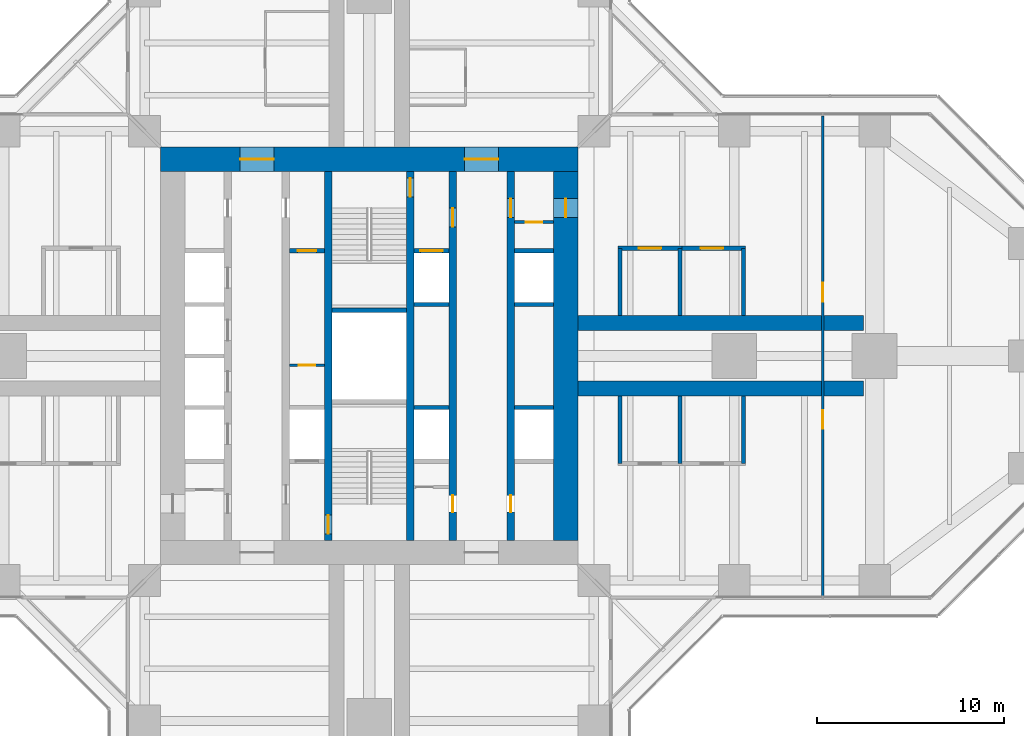
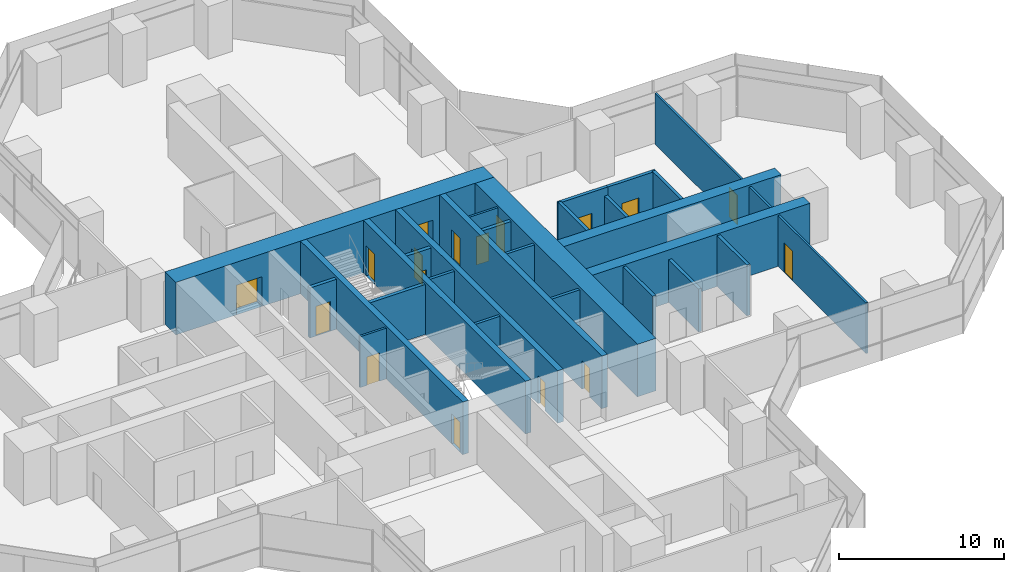
# One storey, part 19 of 22: 27 walls, 17 doors, 17 openings.
"""IFC4 building model written with IfcOpenShell, lengths in metres."""

import ifcopenshell
import ifcopenshell.guid

model = None  # the IFC model being written
_history = None  # IfcOwnerHistory: only IFC2X3 demands one
_inside = {}  # id of a spatial element -> (the spatial element, [elements in it])
_under = {}  # id of a project, library or spatial element -> (it, [spatial elements below it])
_declared = {}  # id of a project -> (the project, [libraries it declares])
_typed = {}  # id of a type object -> (the type object, [elements of that type])
_made_of = {}  # id of a material, layer set ... -> (it, [elements and type objects made of it])


def new_model(schema):
    """Start an empty IFC model of exactly this schema.

    Asked for "IFC4X3", IfcOpenShell would pick the latest addendum, in which some entities
    have other attributes; the version numbers below select the first issue.
    IFC2X3 requires an IfcOwnerHistory on every rooted entity: one is made here for all.
    """
    global model, _history
    if schema == "IFC4X3":
        model = ifcopenshell.file(schema_version=(4, 3, 0, 0))
    else:
        model = ifcopenshell.file(schema=schema)
    _inside.clear()
    _under.clear()
    _declared.clear()
    _typed.clear()
    _made_of.clear()
    _history = None
    if model.schema == "IFC2X3":
        org = make("IfcOrganization", Name="unknown")
        user = make(
            "IfcPersonAndOrganization",
            ThePerson=make("IfcPerson", FamilyName="unknown"),
            TheOrganization=org,
        )
        app = make(
            "IfcApplication",
            ApplicationDeveloper=org,
            Version="unknown",
            ApplicationFullName="unknown",
            ApplicationIdentifier="unknown",
        )
        _history = make(
            "IfcOwnerHistory",
            OwningUser=user,
            OwningApplication=app,
            ChangeAction="ADDED",
            CreationDate=0,
        )
    return model


def make(cls, **values):
    """One entity of the class cls with the attributes given. An attribute that is None is left unset."""
    return model.create_entity(
        cls, **{name: value for name, value in values.items() if value is not None}
    )


def rooted(cls, **values):
    """An entity with a GlobalId (a new one), such as an element, a storey or a relation."""
    return make(cls, GlobalId=ifcopenshell.guid.new(), OwnerHistory=_history, **values)


def si_unit(unit_type, name, prefix=None):
    """IfcSIUnit, for example si_unit("LENGTHUNIT", "METRE", prefix="MILLI")."""
    return make("IfcSIUnit", UnitType=unit_type, Prefix=prefix, Name=name)


def assignment(units):
    """IfcUnitAssignment: the units of a project."""
    return None if units is None else make("IfcUnitAssignment", Units=units)


def point(xyz):
    """IfcCartesianPoint."""
    return None if xyz is None else make("IfcCartesianPoint", Coordinates=xyz)


def direction(xyz):
    """IfcDirection."""
    return None if xyz is None else make("IfcDirection", DirectionRatios=xyz)


def frame(location, z_axis=None, x_axis=None):
    """IfcAxis2Placement3D, a coordinate frame: its origin and axes. An axis left out is left unset."""
    return make(
        "IfcAxis2Placement3D",
        Location=point(location),
        Axis=direction(z_axis),
        RefDirection=direction(x_axis),
    )


def frame_2d(location, x_axis=None):
    """IfcAxis2Placement2D, a coordinate frame in the plane: its origin and x axis."""
    return make(
        "IfcAxis2Placement2D", Location=point(location), RefDirection=direction(x_axis)
    )


def origin():
    """The frame at (0, 0, 0) with its axes left unset."""
    return frame((0.0, 0.0, 0.0))


def place(relative_to, where):
    """IfcLocalPlacement: puts the frame where relative to a parent placement (None: the world)."""
    return make(
        "IfcLocalPlacement", PlacementRelTo=relative_to, RelativePlacement=where
    )


def context(
    kind, dimensions, precision=None, world=None, true_north=None, identifier=None
):
    """IfcGeometricRepresentationContext, for example the 3D "Model" context."""
    return make(
        "IfcGeometricRepresentationContext",
        ContextIdentifier=identifier,
        ContextType=kind,
        CoordinateSpaceDimension=dimensions,
        Precision=precision,
        WorldCoordinateSystem=world,
        TrueNorth=true_north,
    )


def subcontext(parent, identifier, kind, view, scale=None):
    """IfcGeometricRepresentationSubContext, for example "Body" below "Model"."""
    return make(
        "IfcGeometricRepresentationSubContext",
        ContextIdentifier=identifier,
        ContextType=kind,
        ParentContext=parent,
        TargetScale=scale,
        TargetView=view,
    )


def project(units=None, contexts=None):
    """IfcProject with its units and contexts."""
    return rooted(
        "IfcProject",
        Name="project",
        RepresentationContexts=contexts,
        UnitsInContext=assignment(units),
    )


def spatial(cls, under=None, at=None, **own):
    """A site, building, storey or space (cls), placed at a placement, below another one or the project."""
    s = rooted(cls, ObjectPlacement=at, **own)
    if under is not None:
        _under.setdefault(under.id(), (under, []))[1].append(s)
    return s


def profile(cls, at=None, kind="AREA", **sizes):
    """A parametric profile (cls). Its sizes go by their IFC names, for example OverallWidth=200.0."""
    return make(cls, ProfileType=kind, Position=at, **sizes)


def rectangle(**sizes):
    """IfcRectangleProfileDef."""
    return profile("IfcRectangleProfileDef", **sizes)


def extrude(swept, where, along, depth):
    """IfcExtrudedAreaSolid: the profile swept, set in the frame where, extruded along a direction by depth."""
    return make(
        "IfcExtrudedAreaSolid",
        SweptArea=swept,
        Position=where,
        ExtrudedDirection=direction(along),
        Depth=depth,
    )


def shape(context_of_items, identifier, shape_type, items):
    """IfcShapeRepresentation: the items that make up one representation, for example the "Body"."""
    return make(
        "IfcShapeRepresentation",
        ContextOfItems=context_of_items,
        RepresentationIdentifier=identifier,
        RepresentationType=shape_type,
        Items=items,
    )


def material(Name=None, Category=None):
    """IfcMaterial."""
    return make("IfcMaterial", Name=Name, Category=Category)


def layer(
    of_material, thickness, ventilated=None, Name=None, Category=None, Priority=None
):
    """IfcMaterialLayer: one layer of a wall or slab, of a material (None: an air gap)."""
    return make(
        "IfcMaterialLayer",
        Material=of_material,
        LayerThickness=thickness,
        IsVentilated=ventilated,
        Name=Name,
        Category=Category,
        Priority=Priority,
    )


def layer_set(layers, Name=None):
    """IfcMaterialLayerSet."""
    return make("IfcMaterialLayerSet", MaterialLayers=layers, LayerSetName=Name)


def made_of(thing, what):
    """Note that an element or type object is made of a material, layer set ...; save() writes the relation."""
    if what is not None:
        _made_of.setdefault(what.id(), (what, []))[1].append(thing)
    return thing


def type_object(cls, material=None, **own):
    """A type object (cls), such as IfcWallType, which elements share."""
    return made_of(rooted(cls, **own), material)


def element(
    cls,
    number,
    at=None,
    inside=None,
    cuts=None,
    type_object=None,
    material=None,
    context=None,
    identifier="Body",
    shape_type=None,
    held_by="IfcProductDefinitionShape",
    body=None,
    shapes=None,
    **own,
):
    """One element of the class cls, such as IfcWall. Its Tag is "e" and its number.

    at: its placement. inside: the storey or other place that contains it. cuts: it is an
    opening in that element (IfcRelVoidsElement). A single representation is given by context,
    identifier, shape_type and body (its items); several are given by shapes. held_by: the class
    of the entity that holds the representations. save() writes the other relations.
    """
    e = rooted(cls, Tag="e%d" % number, ObjectPlacement=at, **own)
    if body is not None:
        shapes = [shape(context, identifier, shape_type, body)]
    if shapes is not None:
        e.Representation = make(held_by, Representations=shapes)
    if inside is not None:
        _inside.setdefault(inside.id(), (inside, []))[1].append(e)
    if cuts is not None:
        rooted(
            "IfcRelVoidsElement", RelatingBuildingElement=cuts, RelatedOpeningElement=e
        )
    if type_object is not None:
        _typed.setdefault(type_object.id(), (type_object, []))[1].append(e)
    return made_of(e, material)


def fill(opening, filler):
    """IfcRelFillsElement: the door or window that sits in an opening."""
    return rooted(
        "IfcRelFillsElement",
        RelatingOpeningElement=opening,
        RelatedBuildingElement=filler,
    )


def aggregate(whole, parts):
    """IfcRelAggregates: a whole, such as a stair, and the parts it consists of."""
    return rooted("IfcRelAggregates", RelatingObject=whole, RelatedObjects=parts)


def save(model, path):
    """Write the relations noted so far, then the file.

    IfcRelAggregates (storeys below a building ...), IfcRelContainedInSpatialStructure (elements
    in a storey), IfcRelDefinesByType, IfcRelAssociatesMaterial and IfcRelDeclares: one each for
    every whole, place, type object, material and project.
    """
    for whole, parts in _under.values():
        aggregate(whole, parts)
    for where, things in _inside.values():
        rooted(
            "IfcRelContainedInSpatialStructure",
            RelatedElements=things,
            RelatingStructure=where,
        )
    for kind, things in _typed.values():
        rooted("IfcRelDefinesByType", RelatedObjects=things, RelatingType=kind)
    for what, things in _made_of.values():
        rooted("IfcRelAssociatesMaterial", RelatedObjects=things, RelatingMaterial=what)
    for by, libraries in _declared.values():
        rooted("IfcRelDeclares", RelatingContext=by, RelatedDefinitions=libraries)
    model.write(path)


model = new_model("IFC4")

# Units and contexts
model_context = context("Model", 3, precision=1e-05, world=origin(), true_north=direction((0.0, 1.0)))
body_context = subcontext(model_context, "Body", "Model", "MODEL_VIEW")
ifc_project = project(units=[si_unit("LENGTHUNIT", "METRE"), si_unit("AREAUNIT", "SQUARE_METRE"), si_unit("VOLUMEUNIT", "CUBIC_METRE"), si_unit("PLANEANGLEUNIT", "RADIAN"), si_unit("MASSUNIT", "GRAM", prefix="KILO")], contexts=[model_context])

# Site, building, storey
site_placement = place(None, origin())
site = spatial("IfcSite", under=ifc_project, at=site_placement, CompositionType="ELEMENT")
building_placement = place(site_placement, origin())
building = spatial("IfcBuilding", under=site, at=building_placement, Name="Mizan Broadcast Tower", CompositionType="ELEMENT")
storey_placement = place(building_placement, frame((0.0, 0.0, 55.199951171875)))
storey = spatial("IfcBuildingStorey", under=building, at=storey_placement, Name="L10", CompositionType="ELEMENT", Elevation=55.199951171875)

# Wall, openings, doors
ifc_material_1 = material(Name="Concrete C70/85", Category="concrete")
ifc_layer_1 = layer(ifc_material_1, 0.39990234375)
ifc_layer_set_1 = layer_set([ifc_layer_1], Name="Concrete C70/85")
wall_type_1 = type_object("IfcWallType", Name="CORE INTERNAL WALL 400", PredefinedType="SHEAR", material=ifc_layer_set_1)
wall_1_placement = place(storey_placement, frame((7.550048828125, 9.85009765625, 0.0), z_axis=(0.0, 0.0, 1.0), x_axis=(0.0, -1.0, 0.0)))
wall_1 = element("IfcWall", 1, at=wall_1_placement, inside=storey, type_object=wall_type_1, Name="Core wall CORE/XW1E", PredefinedType="SHEAR", context=body_context, shape_type="SweptSolid", body=[
    extrude(rectangle(XDim=19.7001953125, YDim=0.39990234375, at=frame_2d((9.85009765625, 0.0))), origin(), (0.0, 0.0, 1.0), 3.900146484375),
])
opening_1_placement = place(wall_1_placement, frame((1.449951171875, 0.0, 0.0)))
opening_1 = element("IfcOpeningElement", 2, at=opening_1_placement, cuts=wall_1, Name="Opening D10F", PredefinedType="OPENING", context=body_context, shape_type="SweptSolid", body=[
    extrude(rectangle(XDim=1.0, YDim=2.199951171875, at=frame_2d((0.5, 1.10009765625))), frame((0.0, 0.2099609375, 0.0), z_axis=(0.0, -1.0, 0.0), x_axis=(1.0, 0.0, 0.0)), (0.0, 0.0, 1.0), 0.419921875),
])
opening_2_placement = place(wall_1_placement, frame((17.300048828125, 0.0, 0.0)))
opening_2 = element("IfcOpeningElement", 3, at=opening_2_placement, cuts=wall_1, Name="Opening D09", PredefinedType="OPENING", context=body_context, shape_type="SweptSolid", body=[
    extrude(rectangle(XDim=0.89990234375, YDim=2.10009765625, at=frame_2d((0.449951171875, 1.050048828125))), frame((0.0, 0.2099609375, 0.0), z_axis=(0.0, -1.0, 0.0), x_axis=(1.0, 0.0, 0.0)), (0.0, 0.0, 1.0), 0.419921875),
])
ifc_material_2 = material(Name="Steel door leaf in steel frame", Category="steel")
door_type_1 = type_object("IfcDoorType", Name="FIRE DOOR 1000 FD90", OperationType="SINGLE_SWING_LEFT", PredefinedType="DOOR", material=ifc_material_2)
door_1_placement = place(opening_1_placement, origin())
door_1 = element("IfcDoor", 4, at=door_1_placement, inside=storey, type_object=door_type_1, Name="East core passage door", OperationType="SINGLE_SWING_LEFT", OverallHeight=2.199951171875, OverallWidth=1.0, PredefinedType="DOOR", context=body_context, shape_type="SweptSolid", body=[
    extrude(rectangle(XDim=1.0, YDim=2.199951171875, at=frame_2d((0.5, 1.10009765625))), frame((0.0, 0.02490234375, 0.0), z_axis=(0.0, -1.0, 0.0), x_axis=(1.0, 0.0, 0.0)), (0.0, 0.0, 1.0), 0.050048828125),
])
fill(opening_1, door_1)
ifc_material_3 = material(Name="Timber door leaf in aluminium frame", Category="wood")
door_type_2 = type_object("IfcDoorType", Name="TOILET DOOR 900", OperationType="SINGLE_SWING_LEFT", PredefinedType="DOOR", material=ifc_material_3)
door_2_placement = place(opening_2_placement, origin())
door_2 = element("IfcDoor", 5, at=door_2_placement, inside=storey, type_object=door_type_2, Name="Female WC door", OperationType="SINGLE_SWING_RIGHT", OverallHeight=2.10009765625, OverallWidth=0.89990234375, PredefinedType="DOOR", context=body_context, shape_type="SweptSolid", body=[
    extrude(rectangle(XDim=0.89990234375, YDim=2.10009765625, at=frame_2d((0.449951171875, 1.050048828125))), frame((0.0, 0.02490234375, 0.0), z_axis=(0.0, -1.0, 0.0), x_axis=(1.0, 0.0, 0.0)), (0.0, 0.0, 1.0), 0.050048828125),
])
fill(opening_2, door_2)

wall_2_placement = place(storey_placement, frame((4.449951171875, 9.85009765625, 0.0), z_axis=(0.0, 0.0, 1.0), x_axis=(0.0, -1.0, 0.0)))
wall_2 = element("IfcWall", 6, at=wall_2_placement, inside=storey, type_object=wall_type_1, Name="Core wall CORE/XWHE", PredefinedType="SHEAR", context=body_context, shape_type="SweptSolid", body=[
    extrude(rectangle(XDim=19.7001953125, YDim=0.39990234375, at=frame_2d((9.85009765625, 0.0))), origin(), (0.0, 0.0, 1.0), 3.900146484375),
])
opening_3_placement = place(wall_2_placement, frame((1.949951171875, 0.0, 0.0)))
opening_3 = element("IfcOpeningElement", 7, at=opening_3_placement, cuts=wall_2, Name="Opening D10F", PredefinedType="OPENING", context=body_context, shape_type="SweptSolid", body=[
    extrude(rectangle(XDim=1.0, YDim=2.199951171875, at=frame_2d((0.5, 1.10009765625))), frame((0.0, 0.2099609375, 0.0), z_axis=(0.0, -1.0, 0.0), x_axis=(1.0, 0.0, 0.0)), (0.0, 0.0, 1.0), 0.419921875),
])
opening_4_placement = place(wall_2_placement, frame((17.300048828125, 0.0, 0.0)))
opening_4 = element("IfcOpeningElement", 8, at=opening_4_placement, cuts=wall_2, Name="Opening D09", PredefinedType="OPENING", context=body_context, shape_type="SweptSolid", body=[
    extrude(rectangle(XDim=0.89990234375, YDim=2.10009765625, at=frame_2d((0.449951171875, 1.050048828125))), frame((0.0, 0.2099609375, 0.0), z_axis=(0.0, -1.0, 0.0), x_axis=(1.0, 0.0, 0.0)), (0.0, 0.0, 1.0), 0.419921875),
])
door_3_placement = place(opening_3_placement, origin())
door_3 = element("IfcDoor", 9, at=door_3_placement, inside=storey, type_object=door_type_1, Name="Firefighting lobby B door", OperationType="SINGLE_SWING_LEFT", OverallHeight=2.199951171875, OverallWidth=1.0, PredefinedType="DOOR", context=body_context, shape_type="SweptSolid", body=[
    extrude(rectangle(XDim=1.0, YDim=2.199951171875, at=frame_2d((0.5, 1.10009765625))), frame((0.0, 0.02490234375, 0.0), z_axis=(0.0, -1.0, 0.0), x_axis=(1.0, 0.0, 0.0)), (0.0, 0.0, 1.0), 0.050048828125),
])
fill(opening_3, door_3)
door_4_placement = place(opening_4_placement, origin())
door_4 = element("IfcDoor", 10, at=door_4_placement, inside=storey, type_object=door_type_2, Name="Cleaner's store door", OperationType="SINGLE_SWING_RIGHT", OverallHeight=2.10009765625, OverallWidth=0.89990234375, PredefinedType="DOOR", context=body_context, shape_type="SweptSolid", body=[
    extrude(rectangle(XDim=0.89990234375, YDim=2.10009765625, at=frame_2d((0.449951171875, 1.050048828125))), frame((0.0, 0.02490234375, 0.0), z_axis=(0.0, -1.0, 0.0), x_axis=(1.0, 0.0, 0.0)), (0.0, 0.0, 1.0), 0.050048828125),
])
fill(opening_4, door_4)

# Wall, opening, door
wall_3_placement = place(storey_placement, frame((-2.199951171875, -9.85009765625, 0.0), z_axis=(0.0, 0.0, 1.0), x_axis=(0.0, 1.0, 0.0)))
wall_3 = element("IfcWall", 11, at=wall_3_placement, inside=storey, type_object=wall_type_1, Name="Core wall CORE/XW2", PredefinedType="SHEAR", context=body_context, shape_type="SweptSolid", body=[
    extrude(rectangle(XDim=19.7001953125, YDim=0.39990234375, at=frame_2d((9.85009765625, 0.0))), origin(), (0.0, 0.0, 1.0), 3.900146484375),
])
opening_5_placement = place(wall_3_placement, frame((0.35009765625, 0.0, 0.0)))
opening_5 = element("IfcOpeningElement", 12, at=opening_5_placement, cuts=wall_3, Name="Opening D10S", PredefinedType="OPENING", context=body_context, shape_type="SweptSolid", body=[
    extrude(rectangle(XDim=1.0, YDim=2.199951171875, at=frame_2d((0.5, 1.10009765625))), frame((0.0, 0.2099609375, 0.0), z_axis=(0.0, -1.0, 0.0), x_axis=(1.0, 0.0, 0.0)), (0.0, 0.0, 1.0), 0.419921875),
])
ifc_material_4 = material(Name="Steel door leaf in steel frame", Category="steel")
door_type_3 = type_object("IfcDoorType", Name="STAIR DOOR 1000 FD90S", OperationType="SINGLE_SWING_RIGHT", PredefinedType="DOOR", material=ifc_material_4)
door_5_placement = place(opening_5_placement, origin())
door_5 = element("IfcDoor", 13, at=door_5_placement, inside=storey, type_object=door_type_3, Name="Stair A door", OperationType="SINGLE_SWING_RIGHT", OverallHeight=2.199951171875, OverallWidth=1.0, PredefinedType="DOOR", context=body_context, shape_type="SweptSolid", body=[
    extrude(rectangle(XDim=1.0, YDim=2.199951171875, at=frame_2d((0.5, 1.10009765625))), frame((0.0, 0.02490234375, 0.0), z_axis=(0.0, -1.0, 0.0), x_axis=(1.0, 0.0, 0.0)), (0.0, 0.0, 1.0), 0.050048828125),
])
fill(opening_5, door_5)

wall_4_placement = place(storey_placement, frame((2.199951171875, 9.85009765625, 0.0), z_axis=(0.0, 0.0, 1.0), x_axis=(0.0, -1.0, 0.0)))
wall_4 = element("IfcWall", 14, at=wall_4_placement, inside=storey, type_object=wall_type_1, Name="Core wall CORE/XW2E", PredefinedType="SHEAR", context=body_context, shape_type="SweptSolid", body=[
    extrude(rectangle(XDim=19.7001953125, YDim=0.39990234375, at=frame_2d((9.85009765625, 0.0))), origin(), (0.0, 0.0, 1.0), 3.900146484375),
])
opening_6_placement = place(wall_4_placement, frame((0.35009765625, 0.0, 0.0)))
opening_6 = element("IfcOpeningElement", 15, at=opening_6_placement, cuts=wall_4, Name="Opening D10S", PredefinedType="OPENING", context=body_context, shape_type="SweptSolid", body=[
    extrude(rectangle(XDim=1.0, YDim=2.199951171875, at=frame_2d((0.5, 1.10009765625))), frame((0.0, 0.2099609375, 0.0), z_axis=(0.0, -1.0, 0.0), x_axis=(1.0, 0.0, 0.0)), (0.0, 0.0, 1.0), 0.419921875),
])
door_6_placement = place(opening_6_placement, origin())
door_6 = element("IfcDoor", 16, at=door_6_placement, inside=storey, type_object=door_type_3, Name="Stair B door", OperationType="SINGLE_SWING_RIGHT", OverallHeight=2.199951171875, OverallWidth=1.0, PredefinedType="DOOR", context=body_context, shape_type="SweptSolid", body=[
    extrude(rectangle(XDim=1.0, YDim=2.199951171875, at=frame_2d((0.5, 1.10009765625))), frame((0.0, 0.02490234375, 0.0), z_axis=(0.0, -1.0, 0.0), x_axis=(1.0, 0.0, 0.0)), (0.0, 0.0, 1.0), 0.050048828125),
])
fill(opening_6, door_6)

ifc_material_5 = material(Name="Concrete blockwork", Category="masonry")
ifc_layer_2 = layer(ifc_material_5, 0.14990234375)
ifc_layer_set_2 = layer_set([ifc_layer_2], Name="Concrete blockwork")
wall_type_2 = type_object("IfcWallType", Name="CORE PARTITION 150", PredefinedType="SOLIDWALL", material=ifc_layer_set_2)
wall_5_placement = place(storey_placement, frame((-4.25, -0.5, 0.0), z_axis=(0.0, 0.0, 1.0), x_axis=(1.0, 0.0, 0.0)))
wall_5 = element("IfcWall", 17, at=wall_5_placement, inside=storey, type_object=wall_type_2, Name="Core partition CORE/XP2", PredefinedType="SOLIDWALL", context=body_context, shape_type="SweptSolid", body=[
    extrude(rectangle(XDim=1.85009765625, YDim=0.14990234375, at=frame_2d((0.925048828125, 0.0))), origin(), (0.0, 0.0, 1.0), 3.77001953125),
])
opening_7_placement = place(wall_5_placement, frame((0.47509765625, 0.0, 0.0)))
opening_7 = element("IfcOpeningElement", 18, at=opening_7_placement, cuts=wall_5, Name="Opening D09F", PredefinedType="OPENING", context=body_context, shape_type="SweptSolid", body=[
    extrude(rectangle(XDim=0.89990234375, YDim=2.10009765625, at=frame_2d((0.449951171875, 1.050048828125))), frame((0.0, 0.0849609375, 0.0), z_axis=(0.0, -1.0, 0.0), x_axis=(1.0, 0.0, 0.0)), (0.0, 0.0, 1.0), 0.169921875),
])
ifc_material_6 = material(Name="Steel door leaf in steel frame", Category="steel")
door_type_4 = type_object("IfcDoorType", Name="CORE ROOM DOOR 900 FD90", OperationType="SINGLE_SWING_LEFT", PredefinedType="DOOR", material=ifc_material_6)
door_7_placement = place(opening_7_placement, origin())
door_7 = element("IfcDoor", 19, at=door_7_placement, inside=storey, type_object=door_type_4, Name="Accessible changing room door", OperationType="SINGLE_SWING_RIGHT", OverallHeight=2.10009765625, OverallWidth=0.89990234375, PredefinedType="DOOR", context=body_context, shape_type="SweptSolid", body=[
    extrude(rectangle(XDim=0.89990234375, YDim=2.10009765625, at=frame_2d((0.449951171875, 1.050048828125))), frame((0.0, 0.02490234375, 0.0), z_axis=(0.0, -1.0, 0.0), x_axis=(1.0, 0.0, 0.0)), (0.0, 0.0, 1.0), 0.050048828125),
])
fill(opening_7, door_7)

wall_6_placement = place(storey_placement, frame((9.85009765625, 7.14990234375, 0.0), z_axis=(0.0, 0.0, 1.0), x_axis=(-1.0, 0.0, 0.0)))
wall_6 = element("IfcWall", 20, at=wall_6_placement, inside=storey, type_object=wall_type_2, Name="Core partition CORE/XPE", PredefinedType="SOLIDWALL", context=body_context, shape_type="SweptSolid", body=[
    extrude(rectangle(XDim=2.10009765625, YDim=0.14990234375, at=frame_2d((1.050048828125, 0.0))), origin(), (0.0, 0.0, 1.0), 3.77001953125),
])
opening_8_placement = place(wall_6_placement, frame((0.60009765625, 0.0, 0.0)))
opening_8 = element("IfcOpeningElement", 21, at=opening_8_placement, cuts=wall_6, Name="Opening D09F", PredefinedType="OPENING", context=body_context, shape_type="SweptSolid", body=[
    extrude(rectangle(XDim=0.89990234375, YDim=2.10009765625, at=frame_2d((0.449951171875, 1.050048828125))), frame((0.0, 0.0849609375, 0.0), z_axis=(0.0, -1.0, 0.0), x_axis=(1.0, 0.0, 0.0)), (0.0, 0.0, 1.0), 0.169921875),
])
door_8_placement = place(opening_8_placement, origin())
door_8 = element("IfcDoor", 22, at=door_8_placement, inside=storey, type_object=door_type_4, Name="Electrical cupboard door", OperationType="SINGLE_SWING_RIGHT", OverallHeight=2.10009765625, OverallWidth=0.89990234375, PredefinedType="DOOR", context=body_context, shape_type="SweptSolid", body=[
    extrude(rectangle(XDim=0.89990234375, YDim=2.10009765625, at=frame_2d((0.449951171875, 1.050048828125))), frame((0.0, 0.02490234375, 0.0), z_axis=(0.0, -1.0, 0.0), x_axis=(1.0, 0.0, 0.0)), (0.0, 0.0, 1.0), 0.050048828125),
])
fill(opening_8, door_8)

# Wall, openings, doors
ifc_material_7 = material(Name="Concrete C70/85", Category="concrete")
ifc_layer_3 = layer(ifc_material_7, 1.300048828125)
ifc_layer_set_3 = layer_set([ifc_layer_3], Name="Concrete C70/85")
wall_type_3 = type_object("IfcWallType", Name="CORE WALL 1300", PredefinedType="SHEAR", material=ifc_layer_set_3)
wall_7_placement = place(storey_placement, frame((-11.14990234375, 10.5, 0.0), z_axis=(0.0, 0.0, 1.0), x_axis=(1.0, 0.0, 0.0)))
wall_7 = element("IfcWall", 23, at=wall_7_placement, inside=storey, type_object=wall_type_3, Name="Core wall N L10", PredefinedType="SHEAR", context=body_context, shape_type="SweptSolid", body=[
    extrude(rectangle(XDim=22.2998046875, YDim=1.300048828125, at=frame_2d((11.14990234375, 0.0))), origin(), (0.0, 0.0, 1.0), 3.900146484375),
])
opening_9_placement = place(wall_7_placement, frame((4.25, 0.0, 0.0)))
opening_9 = element("IfcOpeningElement", 24, at=opening_9_placement, cuts=wall_7, Name="Opening D18F", PredefinedType="OPENING", context=body_context, shape_type="SweptSolid", body=[
    extrude(rectangle(XDim=1.800048828125, YDim=2.199951171875, at=frame_2d((0.89990234375, 1.10009765625))), frame((0.0, 0.659912109375, 0.0), z_axis=(0.0, -1.0, 0.0), x_axis=(1.0, 0.0, 0.0)), (0.0, 0.0, 1.0), 1.320068359375),
])
opening_10_placement = place(wall_7_placement, frame((16.25, 0.0, 0.0)))
opening_10 = element("IfcOpeningElement", 25, at=opening_10_placement, cuts=wall_7, Name="Opening D18F", PredefinedType="OPENING", context=body_context, shape_type="SweptSolid", body=[
    extrude(rectangle(XDim=1.800048828125, YDim=2.199951171875, at=frame_2d((0.89990234375, 1.10009765625))), frame((0.0, 0.659912109375, 0.0), z_axis=(0.0, -1.0, 0.0), x_axis=(1.0, 0.0, 0.0)), (0.0, 0.0, 1.0), 1.320068359375),
])
ifc_material_8 = material(Name="Steel door leaf in steel frame", Category="steel")
door_type_5 = type_object("IfcDoorType", Name="LOBBY DOUBLE DOOR 1800 FD90", OperationType="DOUBLE_DOOR_DOUBLE_SWING", PredefinedType="DOOR", material=ifc_material_8)
door_9_placement = place(opening_9_placement, origin())
door_9 = element("IfcDoor", 26, at=door_9_placement, inside=storey, type_object=door_type_5, Name="West lift lobby north door", OperationType="DOUBLE_DOOR_DOUBLE_SWING", OverallHeight=2.199951171875, OverallWidth=1.800048828125, PredefinedType="DOOR", context=body_context, shape_type="SweptSolid", body=[
    extrude(rectangle(XDim=1.800048828125, YDim=2.199951171875, at=frame_2d((0.89990234375, 1.10009765625))), frame((0.0, 0.02490234375, 0.0), z_axis=(0.0, -1.0, 0.0), x_axis=(1.0, 0.0, 0.0)), (0.0, 0.0, 1.0), 0.050048828125),
])
fill(opening_9, door_9)
door_10_placement = place(opening_10_placement, origin())
door_10 = element("IfcDoor", 27, at=door_10_placement, inside=storey, type_object=door_type_5, Name="East lift lobby north door", OperationType="DOUBLE_DOOR_DOUBLE_SWING", OverallHeight=2.199951171875, OverallWidth=1.800048828125, PredefinedType="DOOR", context=body_context, shape_type="SweptSolid", body=[
    extrude(rectangle(XDim=1.800048828125, YDim=2.199951171875, at=frame_2d((0.89990234375, 1.10009765625))), frame((0.0, 0.02490234375, 0.0), z_axis=(0.0, -1.0, 0.0), x_axis=(1.0, 0.0, 0.0)), (0.0, 0.0, 1.0), 0.050048828125),
])
fill(opening_10, door_10)

# Wall, opening, door
wall_8_placement = place(storey_placement, frame((10.5, -9.85009765625, 0.0), z_axis=(0.0, 0.0, 1.0), x_axis=(0.0, 1.0, 0.0)))
wall_8 = element("IfcWall", 28, at=wall_8_placement, inside=storey, type_object=wall_type_3, Name="Core wall E L10", PredefinedType="SHEAR", context=body_context, shape_type="SweptSolid", body=[
    extrude(rectangle(XDim=19.7001953125, YDim=1.300048828125, at=frame_2d((9.85009765625, 0.0))), origin(), (0.0, 0.0, 1.0), 3.900146484375),
])
opening_11_placement = place(wall_8_placement, frame((17.25, 0.0, 0.0)))
opening_11 = element("IfcOpeningElement", 29, at=opening_11_placement, cuts=wall_8, Name="Opening D10F", PredefinedType="OPENING", context=body_context, shape_type="SweptSolid", body=[
    extrude(rectangle(XDim=1.0, YDim=2.199951171875, at=frame_2d((0.5, 1.10009765625))), frame((0.0, 0.659912109375, 0.0), z_axis=(0.0, -1.0, 0.0), x_axis=(1.0, 0.0, 0.0)), (0.0, 0.0, 1.0), 1.320068359375),
])
door_11_placement = place(opening_11_placement, origin())
door_11 = element("IfcDoor", 30, at=door_11_placement, inside=storey, type_object=door_type_1, Name="East core passage arm door", OperationType="SINGLE_SWING_RIGHT", OverallHeight=2.199951171875, OverallWidth=1.0, PredefinedType="DOOR", context=body_context, shape_type="SweptSolid", body=[
    extrude(rectangle(XDim=1.0, YDim=2.199951171875, at=frame_2d((0.5, 1.10009765625))), frame((0.0, 0.02490234375, 0.0), z_axis=(0.0, -1.0, 0.0), x_axis=(1.0, 0.0, 0.0)), (0.0, 0.0, 1.0), 0.050048828125),
])
fill(opening_11, door_11)

# Walls
ifc_material_9 = material(Name="Concrete blockwork", Category="masonry")
ifc_layer_4 = layer(ifc_material_9, 0.199951171875)
ifc_layer_set_4 = layer_set([ifc_layer_4], Name="Concrete blockwork")
wall_type_4 = type_object("IfcWallType", Name="LIFT SHAFT WALL 200", PredefinedType="SOLIDWALL", material=ifc_layer_set_4)
wall_9_placement = place(storey_placement, frame((2.39990234375, -2.75, 0.0), z_axis=(0.0, 0.0, 1.0), x_axis=(1.0, 0.0, 0.0)))
element("IfcWall", 31, at=wall_9_placement, inside=storey, type_object=wall_type_4, Name="Lift shaft wall CORE/SE2-1", PredefinedType="SOLIDWALL", context=body_context, shape_type="SweptSolid", body=[
    extrude(rectangle(XDim=1.85009765625, YDim=0.199951171875, at=frame_2d((0.925048828125, 0.0))), origin(), (0.0, 0.0, 1.0), 3.699951171875),
])
wall_10_placement = place(storey_placement, frame((7.75, -2.75, 0.0), z_axis=(0.0, 0.0, 1.0), x_axis=(1.0, 0.0, 0.0)))
element("IfcWall", 32, at=wall_10_placement, inside=storey, type_object=wall_type_4, Name="Lift shaft wall CORE/SE1-1", PredefinedType="SOLIDWALL", context=body_context, shape_type="SweptSolid", body=[
    extrude(rectangle(XDim=2.10009765625, YDim=0.199951171875, at=frame_2d((1.050048828125, 0.0))), origin(), (0.0, 0.0, 1.0), 3.699951171875),
])
wall_11_placement = place(storey_placement, frame((2.39990234375, 2.75, 0.0), z_axis=(0.0, 0.0, 1.0), x_axis=(1.0, 0.0, 0.0)))
element("IfcWall", 33, at=wall_11_placement, inside=storey, type_object=wall_type_4, Name="Lift shaft wall CORE/SE2-3", PredefinedType="SOLIDWALL", context=body_context, shape_type="SweptSolid", body=[
    extrude(rectangle(XDim=1.85009765625, YDim=0.199951171875, at=frame_2d((0.925048828125, 0.0))), origin(), (0.0, 0.0, 1.0), 3.699951171875),
])
wall_12_placement = place(storey_placement, frame((7.75, 2.75, 0.0), z_axis=(0.0, 0.0, 1.0), x_axis=(1.0, 0.0, 0.0)))
element("IfcWall", 34, at=wall_12_placement, inside=storey, type_object=wall_type_4, Name="Lift shaft wall CORE/SE1-3", PredefinedType="SOLIDWALL", context=body_context, shape_type="SweptSolid", body=[
    extrude(rectangle(XDim=2.10009765625, YDim=0.199951171875, at=frame_2d((1.050048828125, 0.0))), origin(), (0.0, 0.0, 1.0), 3.699951171875),
])

# Wall, opening, door
ifc_material_10 = material(Name="Concrete blockwork", Category="masonry")
ifc_layer_5 = layer(ifc_material_10, 0.25)
ifc_layer_set_5 = layer_set([ifc_layer_5], Name="Concrete blockwork")
wall_type_5 = type_object("IfcWallType", Name="LOBBY ENCLOSURE WALL 250", PredefinedType="SOLIDWALL", material=ifc_layer_set_5)
wall_13_placement = place(storey_placement, frame((-4.25, 5.625, 0.0), z_axis=(0.0, 0.0, 1.0), x_axis=(1.0, 0.0, 0.0)))
wall_13 = element("IfcWall", 35, at=wall_13_placement, inside=storey, type_object=wall_type_5, Name="Lobby enclosure wall CORE/BW2N", PredefinedType="SOLIDWALL", context=body_context, shape_type="SweptSolid", body=[
    extrude(rectangle(XDim=1.85009765625, YDim=0.25, at=frame_2d((0.925048828125, 0.0))), origin(), (0.0, 0.0, 1.0), 3.699951171875),
])
opening_12_placement = place(wall_13_placement, frame((0.425048828125, 0.0, 0.0)))
opening_12 = element("IfcOpeningElement", 36, at=opening_12_placement, cuts=wall_13, Name="Opening D10F", PredefinedType="OPENING", context=body_context, shape_type="SweptSolid", body=[
    extrude(rectangle(XDim=1.0, YDim=2.199951171875, at=frame_2d((0.5, 1.10009765625))), frame((0.0, 0.135009765625, 0.0), z_axis=(0.0, -1.0, 0.0), x_axis=(1.0, 0.0, 0.0)), (0.0, 0.0, 1.0), 0.27001953125),
])
door_12_placement = place(opening_12_placement, origin())
door_12 = element("IfcDoor", 37, at=door_12_placement, inside=storey, type_object=door_type_1, Name="Baby change room door", OperationType="SINGLE_SWING_RIGHT", OverallHeight=2.199951171875, OverallWidth=1.0, PredefinedType="DOOR", context=body_context, shape_type="SweptSolid", body=[
    extrude(rectangle(XDim=1.0, YDim=2.199951171875, at=frame_2d((0.5, 1.10009765625))), frame((0.0, 0.02490234375, 0.0), z_axis=(0.0, -1.0, 0.0), x_axis=(1.0, 0.0, 0.0)), (0.0, 0.0, 1.0), 0.050048828125),
])
fill(opening_12, door_12)

wall_14_placement = place(storey_placement, frame((2.39990234375, 5.625, 0.0), z_axis=(0.0, 0.0, 1.0), x_axis=(1.0, 0.0, 0.0)))
wall_14 = element("IfcWall", 38, at=wall_14_placement, inside=storey, type_object=wall_type_5, Name="Lobby enclosure wall CORE/BE2N", PredefinedType="SOLIDWALL", context=body_context, shape_type="SweptSolid", body=[
    extrude(rectangle(XDim=1.85009765625, YDim=0.25, at=frame_2d((0.925048828125, 0.0))), origin(), (0.0, 0.0, 1.0), 3.699951171875),
])
opening_13_placement = place(wall_14_placement, frame((0.324951171875, 0.0, 0.0)))
opening_13 = element("IfcOpeningElement", 39, at=opening_13_placement, cuts=wall_14, Name="Opening LDF", PredefinedType="OPENING", context=body_context, shape_type="SweptSolid", body=[
    extrude(rectangle(XDim=1.199951171875, YDim=2.199951171875, at=frame_2d((0.60009765625, 1.10009765625))), frame((0.0, 0.135009765625, 0.0), z_axis=(0.0, -1.0, 0.0), x_axis=(1.0, 0.0, 0.0)), (0.0, 0.0, 1.0), 0.27001953125),
])
ifc_material_11 = material(Name="Steel door leaf in steel frame", Category="steel")
door_type_6 = type_object("IfcDoorType", Name="FIREFIGHTING LIFT LANDING DOOR 1200", OperationType="SLIDING_TO_LEFT", PredefinedType="DOOR", material=ifc_material_11)
door_13_placement = place(opening_13_placement, origin())
door_13 = element("IfcDoor", 40, at=door_13_placement, inside=storey, type_object=door_type_6, Name="Landing door FF2", OperationType="SLIDING_TO_LEFT", OverallHeight=2.199951171875, OverallWidth=1.199951171875, PredefinedType="DOOR", context=body_context, shape_type="SweptSolid", body=[
    extrude(rectangle(XDim=1.199951171875, YDim=2.199951171875, at=frame_2d((0.60009765625, 1.10009765625))), frame((0.0, 0.02490234375, 0.0), z_axis=(0.0, -1.0, 0.0), x_axis=(1.0, 0.0, 0.0)), (0.0, 0.0, 1.0), 0.050048828125),
])
fill(opening_13, door_13)

# Walls
wall_15_placement = place(storey_placement, frame((7.75, 5.625, 0.0), z_axis=(0.0, 0.0, 1.0), x_axis=(1.0, 0.0, 0.0)))
element("IfcWall", 41, at=wall_15_placement, inside=storey, type_object=wall_type_5, Name="Lobby enclosure wall CORE/BE1N", PredefinedType="SOLIDWALL", context=body_context, shape_type="SweptSolid", body=[
    extrude(rectangle(XDim=2.10009765625, YDim=0.25, at=frame_2d((1.050048828125, 0.0))), origin(), (0.0, 0.0, 1.0), 3.699951171875),
])
wall_16_placement = place(storey_placement, frame((-2.0, 2.449951171875, 0.0), z_axis=(0.0, 0.0, 1.0), x_axis=(1.0, 0.0, 0.0)))
element("IfcWall", 42, at=wall_16_placement, inside=storey, type_object=wall_type_5, Name="Lobby enclosure wall CORE/STB", PredefinedType="SOLIDWALL", context=body_context, shape_type="SweptSolid", body=[
    extrude(rectangle(XDim=4.0, YDim=0.25, at=frame_2d((2.0, 0.0))), origin(), (0.0, 0.0, 1.0), 3.699951171875),
])

# Wall, openings, doors
ifc_material_12 = material(Name="Gypsum board on steel studs", Category="steel")
ifc_layer_6 = layer(ifc_material_12, 0.14990234375)
ifc_layer_set_6 = layer_set([ifc_layer_6], Name="Gypsum board on steel studs")
wall_type_6 = type_object("IfcWallType", Name="PARTITION 150", PredefinedType="PARTITIONING", material=ifc_layer_set_6)
wall_17_placement = place(storey_placement, frame((24.22900390625, -12.820068359375, 0.0), z_axis=(0.0, 0.0, 1.0), x_axis=(0.0, 1.0, 0.0)))
wall_17 = element("IfcWall", 43, at=wall_17_placement, inside=storey, type_object=wall_type_6, Name="Partition PT/EX1", PredefinedType="PARTITIONING", context=body_context, shape_type="SweptSolid", body=[
    extrude(rectangle(XDim=25.64013671875, YDim=0.14990234375, at=frame_2d((12.820068359375, 0.0))), origin(), (0.0, 0.0, 1.0), 3.77001953125),
])
opening_14_placement = place(wall_17_placement, frame((15.719970703125, 0.0, 0.0)))
opening_14 = element("IfcOpeningElement", 44, at=opening_14_placement, cuts=wall_17, Name="Opening D10", PredefinedType="OPENING", context=body_context, shape_type="SweptSolid", body=[
    extrude(rectangle(XDim=1.0, YDim=2.199951171875, at=frame_2d((0.5, 1.10009765625))), frame((0.0, 0.0849609375, 0.0), z_axis=(0.0, -1.0, 0.0), x_axis=(1.0, 0.0, 0.0)), (0.0, 0.0, 1.0), 0.169921875),
])
opening_15_placement = place(wall_17_placement, frame((8.919921875, 0.0, 0.0)))
opening_15 = element("IfcOpeningElement", 45, at=opening_15_placement, cuts=wall_17, Name="Opening D10", PredefinedType="OPENING", context=body_context, shape_type="SweptSolid", body=[
    extrude(rectangle(XDim=1.0, YDim=2.199951171875, at=frame_2d((0.5, 1.10009765625))), frame((0.0, 0.0849609375, 0.0), z_axis=(0.0, -1.0, 0.0), x_axis=(1.0, 0.0, 0.0)), (0.0, 0.0, 1.0), 0.169921875),
])
ifc_material_13 = material(Name="Timber door leaf in aluminium frame", Category="wood")
door_type_7 = type_object("IfcDoorType", Name="ROOM DOOR 1000", OperationType="SINGLE_SWING_LEFT", PredefinedType="DOOR", material=ifc_material_13)
door_14_placement = place(opening_14_placement, origin())
door_14 = element("IfcDoor", 46, at=door_14_placement, inside=storey, type_object=door_type_7, Name="Open office door", OperationType="SINGLE_SWING_RIGHT", OverallHeight=2.199951171875, OverallWidth=1.0, PredefinedType="DOOR", context=body_context, shape_type="SweptSolid", body=[
    extrude(rectangle(XDim=1.0, YDim=2.199951171875, at=frame_2d((0.5, 1.10009765625))), frame((0.0, 0.02490234375, 0.0), z_axis=(0.0, -1.0, 0.0), x_axis=(1.0, 0.0, 0.0)), (0.0, 0.0, 1.0), 0.050048828125),
])
fill(opening_14, door_14)
door_15_placement = place(opening_15_placement, origin())
door_15 = element("IfcDoor", 47, at=door_15_placement, inside=storey, type_object=door_type_7, Name="Open office door", OperationType="SINGLE_SWING_LEFT", OverallHeight=2.199951171875, OverallWidth=1.0, PredefinedType="DOOR", context=body_context, shape_type="SweptSolid", body=[
    extrude(rectangle(XDim=1.0, YDim=2.199951171875, at=frame_2d((0.5, 1.10009765625))), frame((0.0, 0.02490234375, 0.0), z_axis=(0.0, -1.0, 0.0), x_axis=(1.0, 0.0, 0.0)), (0.0, 0.0, 1.0), 0.050048828125),
])
fill(opening_15, door_15)

# Walls
ifc_material_14 = material(Name="Twin steel stud acoustic partition, four layers of gypsum board", Category="steel")
ifc_layer_7 = layer(ifc_material_14, 0.22509765625)
ifc_layer_set_7 = layer_set([ifc_layer_7], Name="Twin steel stud acoustic partition, four layers of gypsum board")
wall_type_7 = type_object("IfcWallType", Name="PARTITION ACOUSTIC 225", PredefinedType="PARTITIONING", material=ifc_layer_set_7)
wall_18_placement = place(storey_placement, frame((13.39990234375, 2.14990234375, 0.0), z_axis=(0.0, 0.0, 1.0), x_axis=(0.0, 1.0, 0.0)))
element("IfcWall", 48, at=wall_18_placement, inside=storey, type_object=wall_type_7, Name="Acoustic partition PT/EKP0a", PredefinedType="PARTITIONING", context=body_context, shape_type="SweptSolid", body=[
    extrude(rectangle(XDim=3.60009765625, YDim=0.22509765625, at=frame_2d((1.800048828125, 0.0))), origin(), (0.0, 0.0, 1.0), 3.77001953125),
])
wall_19_placement = place(storey_placement, frame((16.60009765625, 2.14990234375, 0.0), z_axis=(0.0, 0.0, 1.0), x_axis=(0.0, 1.0, 0.0)))
element("IfcWall", 49, at=wall_19_placement, inside=storey, type_object=wall_type_7, Name="Acoustic partition PT/EKP0b", PredefinedType="PARTITIONING", context=body_context, shape_type="SweptSolid", body=[
    extrude(rectangle(XDim=3.60009765625, YDim=0.22509765625, at=frame_2d((1.800048828125, 0.0))), origin(), (0.0, 0.0, 1.0), 3.179931640625),
])

# Wall, opening, door
wall_20_placement = place(storey_placement, frame((13.28759765625, 5.75, 0.0), z_axis=(0.0, 0.0, 1.0), x_axis=(1.0, 0.0, 0.0)))
wall_20 = element("IfcWall", 50, at=wall_20_placement, inside=storey, type_object=wall_type_7, Name="Acoustic partition PT/EKP0f", PredefinedType="PARTITIONING", context=body_context, shape_type="SweptSolid", body=[
    extrude(rectangle(XDim=3.4248046875, YDim=0.22509765625, at=frame_2d((1.71240234375, 0.0))), origin(), (0.0, 0.0, 1.0), 3.77001953125),
])
opening_16_placement = place(wall_20_placement, frame((1.112548828125, 0.0, 0.0)))
opening_16 = element("IfcOpeningElement", 51, at=opening_16_placement, cuts=wall_20, Name="Opening D12A", PredefinedType="OPENING", context=body_context, shape_type="SweptSolid", body=[
    extrude(rectangle(XDim=1.199951171875, YDim=2.199951171875, at=frame_2d((0.60009765625, 1.10009765625))), frame((0.0, 0.12255859375, 0.0), z_axis=(0.0, -1.0, 0.0), x_axis=(1.0, 0.0, 0.0)), (0.0, 0.0, 1.0), 0.2451171875),
])
ifc_material_15 = material(Name="Timber door leaf in aluminium frame", Category="wood")
door_type_8 = type_object("IfcDoorType", Name="ACOUSTIC DOOR 1200", OperationType="SINGLE_SWING_LEFT", PredefinedType="DOOR", material=ifc_material_15)
door_16_placement = place(opening_16_placement, origin())
door_16 = element("IfcDoor", 52, at=door_16_placement, inside=storey, type_object=door_type_8, Name="Edit suite door", OperationType="SINGLE_SWING_LEFT", OverallHeight=2.199951171875, OverallWidth=1.199951171875, PredefinedType="DOOR", context=body_context, shape_type="SweptSolid", body=[
    extrude(rectangle(XDim=1.199951171875, YDim=2.199951171875, at=frame_2d((0.60009765625, 1.10009765625))), frame((0.0, 0.02490234375, 0.0), z_axis=(0.0, -1.0, 0.0), x_axis=(1.0, 0.0, 0.0)), (0.0, 0.0, 1.0), 0.050048828125),
])
fill(opening_16, door_16)

# Wall
wall_21_placement = place(storey_placement, frame((20.0, 2.14990234375, 0.0), z_axis=(0.0, 0.0, 1.0), x_axis=(0.0, 1.0, 0.0)))
element("IfcWall", 53, at=wall_21_placement, inside=storey, type_object=wall_type_7, Name="Acoustic partition PT/EKP1b", PredefinedType="PARTITIONING", context=body_context, shape_type="SweptSolid", body=[
    extrude(rectangle(XDim=3.60009765625, YDim=0.22509765625, at=frame_2d((1.800048828125, 0.0))), origin(), (0.0, 0.0, 1.0), 3.77001953125),
])

# Wall, opening, door
wall_22_placement = place(storey_placement, frame((16.71240234375, 5.75, 0.0), z_axis=(0.0, 0.0, 1.0), x_axis=(1.0, 0.0, 0.0)))
wall_22 = element("IfcWall", 54, at=wall_22_placement, inside=storey, type_object=wall_type_7, Name="Acoustic partition PT/EKP1f", PredefinedType="PARTITIONING", context=body_context, shape_type="SweptSolid", body=[
    extrude(rectangle(XDim=3.400146484375, YDim=0.22509765625, at=frame_2d((1.7001953125, 0.0))), origin(), (0.0, 0.0, 1.0), 3.77001953125),
])
opening_17_placement = place(wall_22_placement, frame((0.987548828125, 0.0, 0.0)))
opening_17 = element("IfcOpeningElement", 55, at=opening_17_placement, cuts=wall_22, Name="Opening D12A", PredefinedType="OPENING", context=body_context, shape_type="SweptSolid", body=[
    extrude(rectangle(XDim=1.199951171875, YDim=2.199951171875, at=frame_2d((0.60009765625, 1.10009765625))), frame((0.0, 0.12255859375, 0.0), z_axis=(0.0, -1.0, 0.0), x_axis=(1.0, 0.0, 0.0)), (0.0, 0.0, 1.0), 0.2451171875),
])
door_17_placement = place(opening_17_placement, origin())
door_17 = element("IfcDoor", 56, at=door_17_placement, inside=storey, type_object=door_type_8, Name="Edit suite door", OperationType="SINGLE_SWING_LEFT", OverallHeight=2.199951171875, OverallWidth=1.199951171875, PredefinedType="DOOR", context=body_context, shape_type="SweptSolid", body=[
    extrude(rectangle(XDim=1.199951171875, YDim=2.199951171875, at=frame_2d((0.60009765625, 1.10009765625))), frame((0.0, 0.02490234375, 0.0), z_axis=(0.0, -1.0, 0.0), x_axis=(1.0, 0.0, 0.0)), (0.0, 0.0, 1.0), 0.050048828125),
])
fill(opening_17, door_17)

# Walls
wall_23_placement = place(storey_placement, frame((13.39990234375, -2.14990234375, 0.0), z_axis=(0.0, 0.0, 1.0), x_axis=(0.0, -1.0, 0.0)))
element("IfcWall", 57, at=wall_23_placement, inside=storey, type_object=wall_type_7, Name="Acoustic partition PT/EKN0a", PredefinedType="PARTITIONING", context=body_context, shape_type="SweptSolid", body=[
    extrude(rectangle(XDim=3.60009765625, YDim=0.22509765625, at=frame_2d((1.800048828125, 0.0))), origin(), (0.0, 0.0, 1.0), 3.77001953125),
])
wall_24_placement = place(storey_placement, frame((16.60009765625, -2.14990234375, 0.0), z_axis=(0.0, 0.0, 1.0), x_axis=(0.0, -1.0, 0.0)))
element("IfcWall", 58, at=wall_24_placement, inside=storey, type_object=wall_type_7, Name="Acoustic partition PT/EKN0b", PredefinedType="PARTITIONING", context=body_context, shape_type="SweptSolid", body=[
    extrude(rectangle(XDim=3.60009765625, YDim=0.22509765625, at=frame_2d((1.800048828125, 0.0))), origin(), (0.0, 0.0, 1.0), 3.179931640625),
])
wall_25_placement = place(storey_placement, frame((20.0, -2.14990234375, 0.0), z_axis=(0.0, 0.0, 1.0), x_axis=(0.0, -1.0, 0.0)))
element("IfcWall", 59, at=wall_25_placement, inside=storey, type_object=wall_type_7, Name="Acoustic partition PT/EKN1b", PredefinedType="PARTITIONING", context=body_context, shape_type="SweptSolid", body=[
    extrude(rectangle(XDim=3.60009765625, YDim=0.22509765625, at=frame_2d((1.800048828125, 0.0))), origin(), (0.0, 0.0, 1.0), 3.77001953125),
])
ifc_material_16 = material(Name="Concrete C70/85", Category="concrete")
ifc_layer_8 = layer(ifc_material_16, 0.800048828125)
ifc_layer_set_8 = layer_set([ifc_layer_8], Name="Concrete C70/85")
wall_type_8 = type_object("IfcWallType", Name="SPINE WALL 800", PredefinedType="SHEAR", material=ifc_layer_set_8)
for number, where, z_axis, x_axis, name in (
    (60, (11.14990234375, -1.75, 0.0), (0.0, 0.0, 1.0), (1.0, 0.0, 0.0), "Spine wall ER L10"),
    (61, (11.14990234375, 1.75, 0.0), (0.0, 0.0, 1.0), (1.0, 0.0, 0.0), "Spine wall EL L10"),
):
    element("IfcWall", number, at=place(storey_placement, frame(where, z_axis=z_axis, x_axis=x_axis)), inside=storey, type_object=wall_type_8, Name=name, PredefinedType="SHEAR", context=body_context, shape_type="SweptSolid", body=[
        extrude(rectangle(XDim=15.25, YDim=0.800048828125, at=frame_2d((7.625, 0.0))), origin(), (0.0, 0.0, 1.0), 3.900146484375),
    ])

save(model, "model.ifc")
